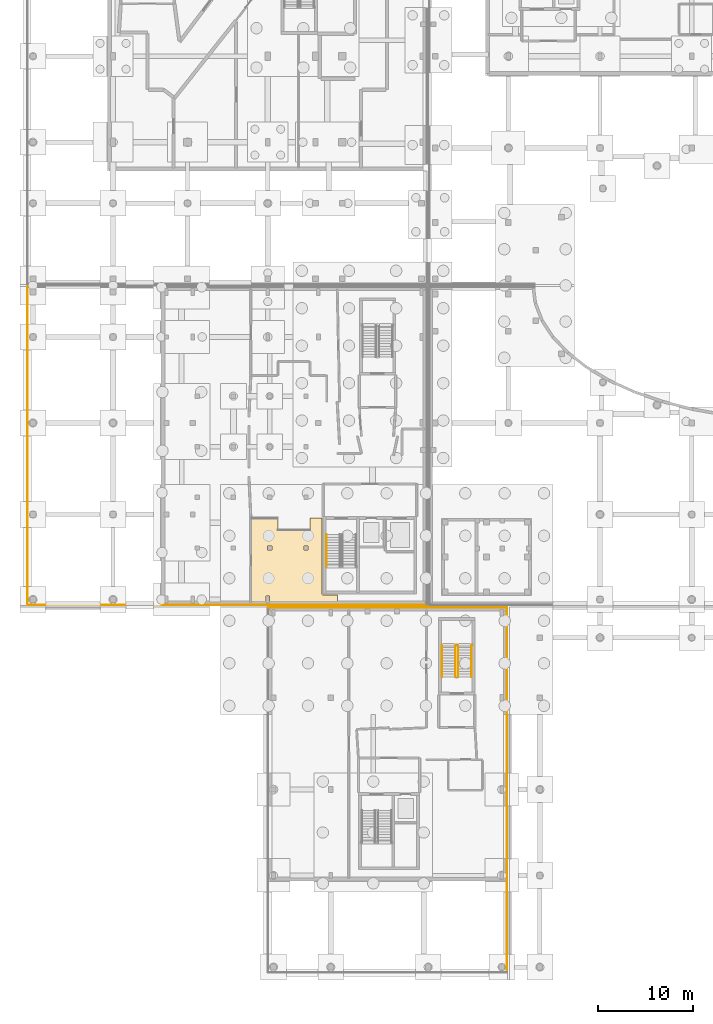
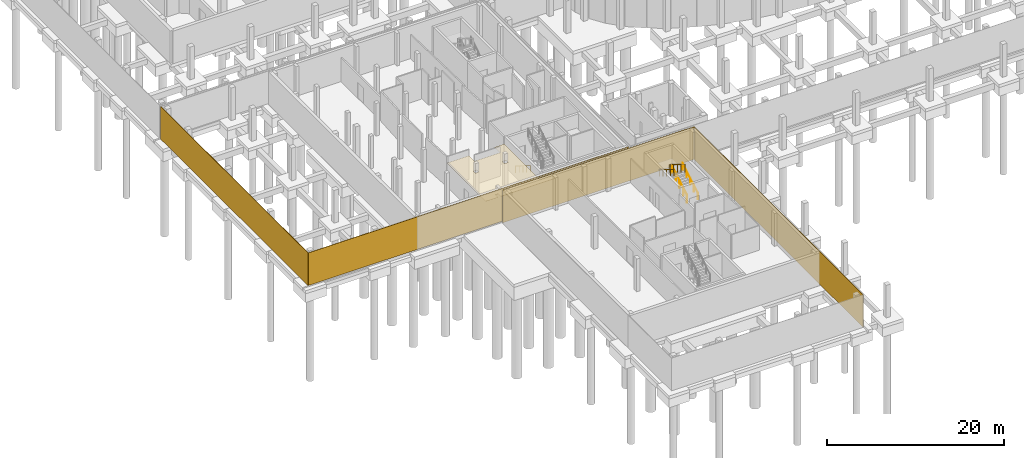
# One storey, part 29 of 40: 5 coverings, 5 railings.
"""IFC4 building model written with IfcOpenShell, lengths in metres."""

from ifc_helpers import new_model, si_unit, direction, frame, origin, origin_2d, place, context, subcontext, project, spatial, polyline, rectangle, circle, outline, extrude, material, layer, layer_set, type_object, element, save


model = new_model("IFC4")

# Units and contexts
model_context = context("Model", 3, precision=1e-05, world=origin(), true_north=direction((0.0, 1.0)))
body_context = subcontext(model_context, "Body", "Model", "MODEL_VIEW")
ifc_project = project(units=[si_unit("LENGTHUNIT", "METRE"), si_unit("AREAUNIT", "SQUARE_METRE"), si_unit("VOLUMEUNIT", "CUBIC_METRE"), si_unit("PLANEANGLEUNIT", "RADIAN"), si_unit("MASSUNIT", "GRAM", prefix="KILO")], contexts=[model_context])

# Site, building, storey
site_placement = place(None, origin())
site = spatial("IfcSite", under=ifc_project, at=site_placement, CompositionType="ELEMENT")
building_placement = place(site_placement, origin())
building = spatial("IfcBuilding", under=site, at=building_placement, Name="Mzevani Central Library", CompositionType="ELEMENT")
storey_placement = place(building_placement, frame((0.0, 0.0, -4.5)))
storey = spatial("IfcBuildingStorey", under=building, at=storey_placement, Name="B1", CompositionType="ELEMENT", Elevation=-4.5)

# Railings
ifc_material_1 = material(Name="Brushed stainless steel rail", Category="steel")
railing_type_1 = type_object("IfcRailingType", Name="Interior Gallery and Stair Guard 1100", PredefinedType="BALUSTRADE", material=ifc_material_1)
railing_1_placement = place(storey_placement, frame((49.14990234375, 35.0, 0.173095703125)))
element("IfcRailing", 1, at=railing_1_placement, inside=storey, type_object=railing_type_1, Name="B1 ST-08 stair guard 1", PredefinedType="BALUSTRADE", context=body_context, shape_type="SweptSolid", body=[
    extrude(circle(Radius=0.02392578125, at=origin_2d()), frame((0.0, 0.0, 1.076171875), z_axis=(0.0, 0.850623216509, 0.525775754039), x_axis=(-1.0, 0.0, 0.0)), (0.0, 0.0, 1.0), 3.9501953125),
    extrude(circle(Radius=0.02099609375, at=origin_2d()), origin(), (0.0, 0.0, 1.0), 1.052001953125),
    extrude(circle(Radius=0.02099609375, at=origin_2d()), frame((0.0, 0.840087890625, 0.519287109375)), (0.0, 0.0, 1.0), 1.052001953125),
    extrude(circle(Radius=0.02099609375, at=origin_2d()), frame((0.0, 1.68017578125, 1.03857421875)), (0.0, 0.0, 1.0), 1.052001953125),
    extrude(circle(Radius=0.02099609375, at=origin_2d()), frame((0.0, 2.52001953125, 1.5576171875)), (0.0, 0.0, 1.0), 1.052001953125),
    extrude(circle(Radius=0.02099609375, at=origin_2d()), frame((0.0, 3.360107421875, 2.076904296875)), (0.0, 0.0, 1.0), 1.052001953125),
])
railing_2_placement = place(storey_placement, frame((48.85009765625, 38.360107421875, 2.423095703125)))
element("IfcRailing", 2, at=railing_2_placement, inside=storey, type_object=railing_type_1, Name="B1 ST-08 stair guard 3", PredefinedType="BALUSTRADE", context=body_context, shape_type="SweptSolid", body=[
    extrude(circle(Radius=0.02392578125, at=origin_2d()), frame((0.0, 0.0, 1.076171875), z_axis=(0.0, -0.850623216509, 0.525775754039), x_axis=(1.0, 0.0, 0.0)), (0.0, 0.0, 1.0), 3.9501953125),
    extrude(circle(Radius=0.02099609375, at=origin_2d()), origin(), (0.0, 0.0, 1.0), 1.052001953125),
    extrude(circle(Radius=0.02099609375, at=origin_2d()), frame((0.0, -0.840087890625, 0.519287109375)), (0.0, 0.0, 1.0), 1.052001953125),
    extrude(circle(Radius=0.02099609375, at=origin_2d()), frame((0.0, -1.68017578125, 1.03857421875)), (0.0, 0.0, 1.0), 1.052001953125),
    extrude(circle(Radius=0.02099609375, at=origin_2d()), frame((0.0, -2.52001953125, 1.5576171875)), (0.0, 0.0, 1.0), 1.052001953125),
    extrude(circle(Radius=0.02099609375, at=origin_2d()), frame((0.0, -3.360107421875, 2.076904296875)), (0.0, 0.0, 1.0), 1.052001953125),
])

# Coverings
ifc_material_2 = material(Name="Limestone ashlar cladding", Category="masonry")
ifc_layer_1 = layer(ifc_material_2, 0.050048828125, Name="Limestone Ashlar Spandrel Cladding")
ifc_layer_set_1 = layer_set([ifc_layer_1], Name="Limestone ashlar cladding")
covering_type_1 = type_object("IfcCoveringType", Name="Limestone Ashlar Spandrel Cladding", PredefinedType="CLADDING", material=ifc_layer_set_1)
covering_1_placement = place(storey_placement, frame((41.75, 42.260009765625, 0.0), z_axis=(0.0, 0.0, 1.0), x_axis=(1.0, 0.0, 0.0)))
element("IfcCovering", 3, at=covering_1_placement, inside=storey, type_object=covering_type_1, Name="B1 V4 Perimeter Plinth Cladding (54)", PredefinedType="CLADDING", context=body_context, shape_type="SweptSolid", body=[
    extrude(rectangle(XDim=25.02001953125, YDim=0.06005859375, at=origin_2d()), origin(), (0.0, 0.0, 1.0), 4.5),
])
covering_2_placement = place(storey_placement, frame((54.260009765625, 23.14990234375, 0.0), z_axis=(0.0, 0.0, 1.0), x_axis=(0.0, -1.0, 0.0)))
element("IfcCovering", 4, at=covering_2_placement, inside=storey, type_object=covering_type_1, Name="B1 V4 Perimeter Plinth Cladding (55)", PredefinedType="CLADDING", context=body_context, shape_type="SweptSolid", body=[
    extrude(rectangle(XDim=38.219970703125, YDim=0.06005859375, at=origin_2d()), origin(), (0.0, 0.0, 1.0), 4.5),
])
covering_3_placement = place(storey_placement, frame((24.949951171875, 42.5400390625, 0.0), z_axis=(0.0, 0.0, 1.0), x_axis=(-1.0, 0.0, 0.0)))
element("IfcCovering", 5, at=covering_3_placement, inside=storey, type_object=covering_type_1, Name="B1 V5 Perimeter Plinth Cladding (60)", PredefinedType="CLADDING", context=body_context, shape_type="SweptSolid", body=[
    extrude(rectangle(XDim=41.820068359375, YDim=0.06005859375, at=origin_2d()), origin(), (0.0, 0.0, 1.0), 4.5),
])
covering_4_placement = place(storey_placement, frame((4.0400390625, 59.199951171875, 0.0), z_axis=(0.0, 0.0, 1.0), x_axis=(0.0, 1.0, 0.0)))
element("IfcCovering", 6, at=covering_4_placement, inside=storey, type_object=covering_type_1, Name="B1 V5 Perimeter Plinth Cladding (61)", PredefinedType="CLADDING", context=body_context, shape_type="SweptSolid", body=[
    extrude(rectangle(XDim=33.320068359375, YDim=0.06005859375, at=origin_2d()), origin(), (0.0, 0.0, 1.0), 4.5),
])
ifc_material_3 = material(Name="Mineral wool acoustic ceiling")
ifc_layer_2 = layer(ifc_material_3, 0.0400390625, Name="Perforated Timber Acoustic Ceiling")
ifc_layer_set_2 = layer_set([ifc_layer_2], Name="Mineral wool acoustic ceiling")
covering_type_2 = type_object("IfcCoveringType", Name="Perforated Timber Acoustic Ceiling", PredefinedType="CEILING", material=ifc_layer_set_2)
covering_5_placement = place(storey_placement, frame((0.0, 0.0, 3.169921875)))
element("IfcCovering", 7, at=covering_5_placement, inside=storey, type_object=covering_type_2, Name="B1 Backstage Dressing and Green Room Acoustic Ceiling", PredefinedType="CEILING", context=body_context, shape_type="SweptSolid", body=[
    extrude(outline(polyline([(30.27880859375, 51.629638671875), (30.280029296875, 50.389892578125), (33.6201171875, 50.389892578125), (33.622802734375, 51.632080078125), (34.8583984375, 51.630615234375), (34.86279296875, 43.675048828125), (34.9892578125, 43.560791015625), (36.47802734375, 43.558837890625), (36.47900390625, 42.87158203125), (29.375, 42.8701171875), (29.375, 43.449951171875), (29.02490234375, 43.449951171875), (29.02490234375, 42.8701171875), (27.41845703125, 42.87451171875), (27.4169921875, 51.6279296875), (30.27880859375, 51.629638671875)]), holes=[polyline([(29.175048828125, 48.72509765625), (29.175048828125, 48.27490234375), (29.625, 48.27490234375), (29.625, 48.72509765625), (29.175048828125, 48.72509765625)]), polyline([(33.425048828125, 48.72509765625), (32.97509765625, 48.72509765625), (32.97509765625, 48.27490234375), (33.425048828125, 48.27490234375), (33.425048828125, 48.72509765625)])]), origin(), (0.0, 0.0, 1.0), 0.0400390625),
])

# Railings
railing_type_2 = type_object("IfcRailingType", Name="Stair Wall Handrail 920", PredefinedType="HANDRAIL", material=ifc_material_1)
railing_3_placement = place(storey_placement, frame((50.550048828125, 35.0, 0.173095703125)))
element("IfcRailing", 8, at=railing_3_placement, inside=storey, type_object=railing_type_2, Name="B1 ST-08 stair handrail 1", PredefinedType="HANDRAIL", context=body_context, shape_type="SweptSolid", body=[
    extrude(circle(Radius=0.02392578125, at=origin_2d()), frame((0.0, 0.0, 0.89599609375), z_axis=(0.0, 0.850623216509, 0.525775754039), x_axis=(-1.0, 0.0, 0.0)), (0.0, 0.0, 1.0), 3.9501953125),
    extrude(circle(Radius=0.02099609375, at=origin_2d()), origin(), (0.0, 0.0, 1.0), 0.871826171875),
    extrude(circle(Radius=0.02099609375, at=origin_2d()), frame((0.0, 0.840087890625, 0.519287109375)), (0.0, 0.0, 1.0), 0.871826171875),
    extrude(circle(Radius=0.02099609375, at=origin_2d()), frame((0.0, 1.68017578125, 1.03857421875)), (0.0, 0.0, 1.0), 0.871826171875),
    extrude(circle(Radius=0.02099609375, at=origin_2d()), frame((0.0, 2.52001953125, 1.5576171875)), (0.0, 0.0, 1.0), 0.871826171875),
    extrude(circle(Radius=0.02099609375, at=origin_2d()), frame((0.0, 3.360107421875, 2.076904296875)), (0.0, 0.0, 1.0), 0.871826171875),
])
railing_4_placement = place(storey_placement, frame((47.449951171875, 38.360107421875, 2.423095703125)))
element("IfcRailing", 9, at=railing_4_placement, inside=storey, type_object=railing_type_2, Name="B1 ST-08 stair handrail 2", PredefinedType="HANDRAIL", context=body_context, shape_type="SweptSolid", body=[
    extrude(circle(Radius=0.02392578125, at=origin_2d()), frame((0.0, 0.0, 0.89599609375), z_axis=(0.0, -0.850623216509, 0.525775754039), x_axis=(1.0, 0.0, 0.0)), (0.0, 0.0, 1.0), 3.9501953125),
    extrude(circle(Radius=0.02099609375, at=origin_2d()), origin(), (0.0, 0.0, 1.0), 0.871826171875),
    extrude(circle(Radius=0.02099609375, at=origin_2d()), frame((0.0, -0.840087890625, 0.519287109375)), (0.0, 0.0, 1.0), 0.871826171875),
    extrude(circle(Radius=0.02099609375, at=origin_2d()), frame((0.0, -1.68017578125, 1.03857421875)), (0.0, 0.0, 1.0), 0.871826171875),
    extrude(circle(Radius=0.02099609375, at=origin_2d()), frame((0.0, -2.52001953125, 1.5576171875)), (0.0, 0.0, 1.0), 0.871826171875),
    extrude(circle(Radius=0.02099609375, at=origin_2d()), frame((0.0, -3.360107421875, 2.076904296875)), (0.0, 0.0, 1.0), 0.871826171875),
])
railing_5_placement = place(storey_placement, frame((35.35009765625, 49.89990234375, 0.173095703125)))
element("IfcRailing", 10, at=railing_5_placement, inside=storey, type_object=railing_type_2, Name="B1 ST-09 stair handrail 1", PredefinedType="HANDRAIL", context=body_context, shape_type="SweptSolid", body=[
    extrude(circle(Radius=0.02392578125, at=origin_2d()), frame((0.0, 0.0, 0.89599609375), z_axis=(0.0, -0.850606129759, 0.525803396734), x_axis=(1.0, 0.0, 0.0)), (0.0, 0.0, 1.0), 3.949951171875),
    extrude(circle(Radius=0.02099609375, at=origin_2d()), origin(), (0.0, 0.0, 1.0), 0.871826171875),
    extrude(circle(Radius=0.02099609375, at=origin_2d()), frame((0.0, -0.83984375, 0.519287109375)), (0.0, 0.0, 1.0), 0.871826171875),
    extrude(circle(Radius=0.02099609375, at=origin_2d()), frame((0.0, -1.679931640625, 1.03857421875)), (0.0, 0.0, 1.0), 0.871826171875),
    extrude(circle(Radius=0.02099609375, at=origin_2d()), frame((0.0, -2.52001953125, 1.5576171875)), (0.0, 0.0, 1.0), 0.871826171875),
    extrude(circle(Radius=0.02099609375, at=origin_2d()), frame((0.0, -3.35986328125, 2.076904296875)), (0.0, 0.0, 1.0), 0.871826171875),
])

save(model, "model.ifc")
